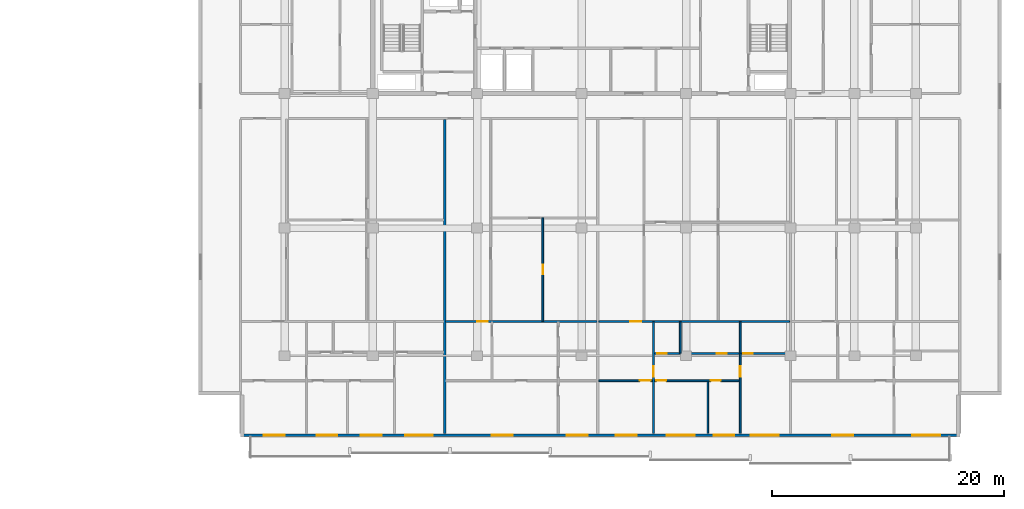
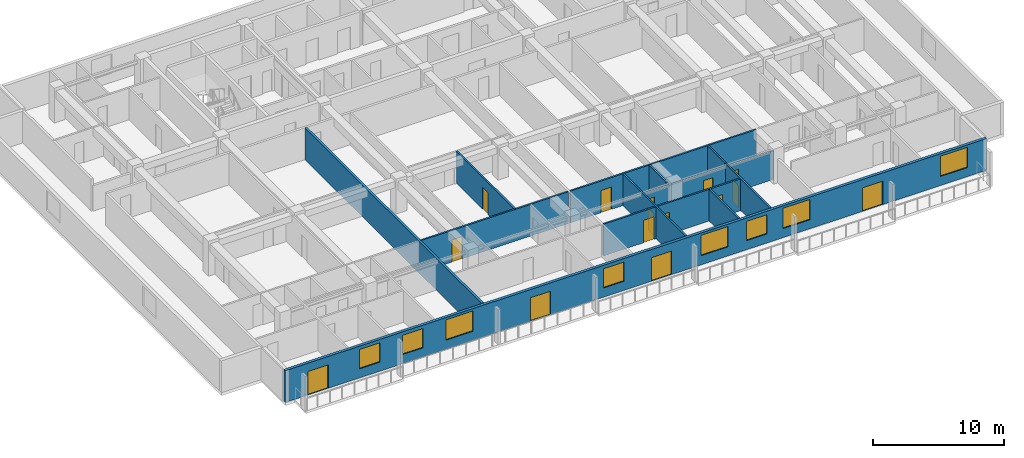
# One storey, part 5 of 23: 15 doors, 12 walls, 8 windows, 23 openings.
"""IFC4 building model written with IfcOpenShell, lengths in metres."""

from ifc_helpers import new_model, si_unit, direction, frame, frame_2d, origin, place, context, subcontext, project, spatial, rectangle, extrude, material, layer, layer_set, type_object, element, fill, save


model = new_model("IFC4")

# Units and contexts
model_context = context("Model", 3, precision=1e-05, world=origin(), true_north=direction((0.0, 1.0)))
body_context = subcontext(model_context, "Body", "Model", "MODEL_VIEW")
ifc_project = project(units=[si_unit("LENGTHUNIT", "METRE"), si_unit("AREAUNIT", "SQUARE_METRE"), si_unit("VOLUMEUNIT", "CUBIC_METRE"), si_unit("PLANEANGLEUNIT", "RADIAN"), si_unit("MASSUNIT", "GRAM", prefix="KILO")], contexts=[model_context])

# Site, building, storey
site_placement = place(None, origin())
site = spatial("IfcSite", under=ifc_project, at=site_placement, CompositionType="ELEMENT")
building_placement = place(site_placement, origin())
building = spatial("IfcBuilding", under=site, at=building_placement, Name="Korimba Cascade Residences", CompositionType="ELEMENT")
storey_placement = place(building_placement, frame((0.0, 0.0, 72.75)))
storey = spatial("IfcBuildingStorey", under=building, at=storey_placement, Name="L20", CompositionType="ELEMENT", Elevation=72.75)

# Wall, openings, doors, windows
ifc_material_1 = material(Name="Precast concrete C40/50", Category="concrete")
ifc_layer_1 = layer(ifc_material_1, 0.25)
ifc_layer_set_1 = layer_set([ifc_layer_1], Name="Precast concrete C40/50")
wall_type_1 = type_object("IfcWallType", Name="EW-LOG-250", PredefinedType="STANDARD", material=ifc_layer_set_1)
wall_1_placement = place(storey_placement, frame((70.699951171875, -11.050048828125, 0.0), z_axis=(0.0, 0.0, 1.0), x_axis=(1.0, 0.0, 0.0)))
wall_1 = element("IfcWall", 1, at=wall_1_placement, inside=storey, type_object=wall_type_1, Name="L20 T2 Perimeter Stone Wall E00", PredefinedType="STANDARD", context=body_context, shape_type="SweptSolid", body=[
    extrude(rectangle(XDim=62.0, YDim=0.25, at=frame_2d((31.0, 0.0))), origin(), (0.0, 0.0, 1.0), 2.969970703125),
])
opening_1_placement = place(wall_1_placement, frame((6.554931640625, 0.0, 0.85009765625)))
opening_1 = element("IfcOpeningElement", 2, at=opening_1_placement, cuts=wall_1, Name="Opening W-02", PredefinedType="OPENING", context=body_context, shape_type="SweptSolid", body=[
    extrude(rectangle(XDim=1.800048828125, YDim=1.800048828125, at=frame_2d((0.89990234375, 0.89990234375))), frame((0.0, 0.135009765625, 0.0), z_axis=(0.0, -1.0, 0.0), x_axis=(1.0, 0.0, 0.0)), (0.0, 0.0, 1.0), 0.27001953125),
])
opening_2_placement = place(wall_1_placement, frame((10.35498046875, 0.0, 0.85009765625)))
opening_2 = element("IfcOpeningElement", 3, at=opening_2_placement, cuts=wall_1, Name="Opening W-02", PredefinedType="OPENING", context=body_context, shape_type="SweptSolid", body=[
    extrude(rectangle(XDim=1.800048828125, YDim=1.800048828125, at=frame_2d((0.89990234375, 0.89990234375))), frame((0.0, 0.135009765625, 0.0), z_axis=(0.0, -1.0, 0.0), x_axis=(1.0, 0.0, 0.0)), (0.0, 0.0, 1.0), 0.27001953125),
])
opening_3_placement = place(wall_1_placement, frame((2.0, 0.0, 0.0)))
opening_3 = element("IfcOpeningElement", 4, at=opening_3_placement, cuts=wall_1, Name="Opening D-LG1", PredefinedType="OPENING", context=body_context, shape_type="SweptSolid", body=[
    extrude(rectangle(XDim=1.800048828125, YDim=2.199951171875, at=frame_2d((0.89990234375, 1.10009765625))), frame((0.0, 0.135009765625, 0.0), z_axis=(0.0, -1.0, 0.0), x_axis=(1.0, 0.0, 0.0)), (0.0, 0.0, 1.0), 0.27001953125),
])
opening_4_placement = place(wall_1_placement, frame((14.179931640625, 0.0, 0.85009765625)))
opening_4 = element("IfcOpeningElement", 5, at=opening_4_placement, cuts=wall_1, Name="Opening W-01", PredefinedType="OPENING", context=body_context, shape_type="SweptSolid", body=[
    extrude(rectangle(XDim=2.39990234375, YDim=1.89990234375, at=frame_2d((1.199951171875, 0.949951171875))), frame((0.0, 0.135009765625, 0.0), z_axis=(0.0, -1.0, 0.0), x_axis=(1.0, 0.0, 0.0)), (0.0, 0.0, 1.0), 0.27001953125),
])
opening_5_placement = place(wall_1_placement, frame((21.64990234375, 0.0, 0.0)))
opening_5 = element("IfcOpeningElement", 6, at=opening_5_placement, cuts=wall_1, Name="Opening D-LG1", PredefinedType="OPENING", context=body_context, shape_type="SweptSolid", body=[
    extrude(rectangle(XDim=1.800048828125, YDim=2.199951171875, at=frame_2d((0.89990234375, 1.10009765625))), frame((0.0, 0.135009765625, 0.0), z_axis=(0.0, -1.0, 0.0), x_axis=(1.0, 0.0, 0.0)), (0.0, 0.0, 1.0), 0.27001953125),
])
opening_6_placement = place(wall_1_placement, frame((28.1298828125, 0.0, 0.85009765625)))
opening_6 = element("IfcOpeningElement", 7, at=opening_6_placement, cuts=wall_1, Name="Opening W-02", PredefinedType="OPENING", context=body_context, shape_type="SweptSolid", body=[
    extrude(rectangle(XDim=1.800048828125, YDim=1.800048828125, at=frame_2d((0.89990234375, 0.89990234375))), frame((0.0, 0.135009765625, 0.0), z_axis=(0.0, -1.0, 0.0), x_axis=(1.0, 0.0, 0.0)), (0.0, 0.0, 1.0), 0.27001953125),
])
opening_7_placement = place(wall_1_placement, frame((36.735107421875, 0.0, 0.85009765625)))
opening_7 = element("IfcOpeningElement", 8, at=opening_7_placement, cuts=wall_1, Name="Opening W-01", PredefinedType="OPENING", context=body_context, shape_type="SweptSolid", body=[
    extrude(rectangle(XDim=2.39990234375, YDim=1.89990234375, at=frame_2d((1.199951171875, 0.949951171875))), frame((0.0, 0.135009765625, 0.0), z_axis=(0.0, -1.0, 0.0), x_axis=(1.0, 0.0, 0.0)), (0.0, 0.0, 1.0), 0.27001953125),
])
opening_8_placement = place(wall_1_placement, frame((40.77490234375, 0.0, 0.85009765625)))
opening_8 = element("IfcOpeningElement", 9, at=opening_8_placement, cuts=wall_1, Name="Opening W-02", PredefinedType="OPENING", context=body_context, shape_type="SweptSolid", body=[
    extrude(rectangle(XDim=1.800048828125, YDim=1.800048828125, at=frame_2d((0.89990234375, 0.89990234375))), frame((0.0, 0.135009765625, 0.0), z_axis=(0.0, -1.0, 0.0), x_axis=(1.0, 0.0, 0.0)), (0.0, 0.0, 1.0), 0.27001953125),
])
opening_9_placement = place(wall_1_placement, frame((32.35498046875, 0.0, 0.0)))
opening_9 = element("IfcOpeningElement", 10, at=opening_9_placement, cuts=wall_1, Name="Opening D-LG1", PredefinedType="OPENING", context=body_context, shape_type="SweptSolid", body=[
    extrude(rectangle(XDim=1.800048828125, YDim=2.199951171875, at=frame_2d((0.89990234375, 1.10009765625))), frame((0.0, 0.135009765625, 0.0), z_axis=(0.0, -1.0, 0.0), x_axis=(1.0, 0.0, 0.0)), (0.0, 0.0, 1.0), 0.27001953125),
])
opening_10_placement = place(wall_1_placement, frame((43.97509765625, 0.0, 0.85009765625)))
opening_10 = element("IfcOpeningElement", 11, at=opening_10_placement, cuts=wall_1, Name="Opening W-01", PredefinedType="OPENING", context=body_context, shape_type="SweptSolid", body=[
    extrude(rectangle(XDim=2.39990234375, YDim=1.89990234375, at=frame_2d((1.199951171875, 0.949951171875))), frame((0.0, 0.135009765625, 0.0), z_axis=(0.0, -1.0, 0.0), x_axis=(1.0, 0.0, 0.0)), (0.0, 0.0, 1.0), 0.27001953125),
])
opening_11_placement = place(wall_1_placement, frame((51.02001953125, 0.0, 0.0)))
opening_11 = element("IfcOpeningElement", 12, at=opening_11_placement, cuts=wall_1, Name="Opening D-LG1", PredefinedType="OPENING", context=body_context, shape_type="SweptSolid", body=[
    extrude(rectangle(XDim=1.800048828125, YDim=2.199951171875, at=frame_2d((0.89990234375, 1.10009765625))), frame((0.0, 0.135009765625, 0.0), z_axis=(0.0, -1.0, 0.0), x_axis=(1.0, 0.0, 0.0)), (0.0, 0.0, 1.0), 0.27001953125),
])
opening_12_placement = place(wall_1_placement, frame((57.89990234375, 0.0, 0.85009765625)))
opening_12 = element("IfcOpeningElement", 13, at=opening_12_placement, cuts=wall_1, Name="Opening W-01", PredefinedType="OPENING", context=body_context, shape_type="SweptSolid", body=[
    extrude(rectangle(XDim=2.39990234375, YDim=1.89990234375, at=frame_2d((1.199951171875, 0.949951171875))), frame((0.0, 0.135009765625, 0.0), z_axis=(0.0, -1.0, 0.0), x_axis=(1.0, 0.0, 0.0)), (0.0, 0.0, 1.0), 0.27001953125),
])
ifc_material_2 = material(Name="Glazed Aluminium Loggia Sliding Door", Category="aluminium")
door_type_1 = type_object("IfcDoorType", Name="DR-EXT-LOG", OperationType="NOTDEFINED", PredefinedType="DOOR", material=ifc_material_2)
door_1_placement = place(opening_3_placement, origin())
door_1 = element("IfcDoor", 14, at=door_1_placement, inside=storey, type_object=door_type_1, Name="L20 T2 Loggia Sliding Door 5", OperationType="SLIDING_TO_RIGHT", OverallHeight=2.199951171875, OverallWidth=1.800048828125, PredefinedType="DOOR", context=body_context, shape_type="SweptSolid", body=[
    extrude(rectangle(XDim=1.800048828125, YDim=2.199951171875, at=frame_2d((0.89990234375, 1.10009765625))), frame((0.0, 0.02490234375, 0.0), z_axis=(0.0, -1.0, 0.0), x_axis=(1.0, 0.0, 0.0)), (0.0, 0.0, 1.0), 0.050048828125),
])
fill(opening_3, door_1)
door_2_placement = place(opening_5_placement, origin())
door_2 = element("IfcDoor", 15, at=door_2_placement, inside=storey, type_object=door_type_1, Name="L20 T2 Loggia Sliding Door 7", OperationType="SLIDING_TO_RIGHT", OverallHeight=2.199951171875, OverallWidth=1.800048828125, PredefinedType="DOOR", context=body_context, shape_type="SweptSolid", body=[
    extrude(rectangle(XDim=1.800048828125, YDim=2.199951171875, at=frame_2d((0.89990234375, 1.10009765625))), frame((0.0, 0.02490234375, 0.0), z_axis=(0.0, -1.0, 0.0), x_axis=(1.0, 0.0, 0.0)), (0.0, 0.0, 1.0), 0.050048828125),
])
fill(opening_5, door_2)
door_3_placement = place(opening_9_placement, origin())
door_3 = element("IfcDoor", 16, at=door_3_placement, inside=storey, type_object=door_type_1, Name="L20 T2 Loggia Sliding Door 11", OperationType="SLIDING_TO_RIGHT", OverallHeight=2.199951171875, OverallWidth=1.800048828125, PredefinedType="DOOR", context=body_context, shape_type="SweptSolid", body=[
    extrude(rectangle(XDim=1.800048828125, YDim=2.199951171875, at=frame_2d((0.89990234375, 1.10009765625))), frame((0.0, 0.02490234375, 0.0), z_axis=(0.0, -1.0, 0.0), x_axis=(1.0, 0.0, 0.0)), (0.0, 0.0, 1.0), 0.050048828125),
])
fill(opening_9, door_3)
door_4_placement = place(opening_11_placement, origin())
door_4 = element("IfcDoor", 17, at=door_4_placement, inside=storey, type_object=door_type_1, Name="L20 T2 Loggia Sliding Door 13", OperationType="SLIDING_TO_RIGHT", OverallHeight=2.199951171875, OverallWidth=1.800048828125, PredefinedType="DOOR", context=body_context, shape_type="SweptSolid", body=[
    extrude(rectangle(XDim=1.800048828125, YDim=2.199951171875, at=frame_2d((0.89990234375, 1.10009765625))), frame((0.0, 0.02490234375, 0.0), z_axis=(0.0, -1.0, 0.0), x_axis=(1.0, 0.0, 0.0)), (0.0, 0.0, 1.0), 0.050048828125),
])
fill(opening_11, door_4)
ifc_material_3 = material(Name="Double-Glazed Aluminium Window", Category="aluminium")
window_type_1 = type_object("IfcWindowType", Name="WIN-BED-1800", PartitioningType="SINGLE_PANEL", PredefinedType="WINDOW", material=ifc_material_3)
window_1_placement = place(opening_1_placement, origin())
window_1 = element("IfcWindow", 18, at=window_1_placement, inside=storey, type_object=window_type_1, Name="L20 T2 South Facade Window 3", OverallHeight=1.800048828125, OverallWidth=1.800048828125, PartitioningType="SINGLE_PANEL", PredefinedType="WINDOW", context=body_context, shape_type="SweptSolid", body=[
    extrude(rectangle(XDim=1.800048828125, YDim=1.800048828125, at=frame_2d((0.89990234375, 0.89990234375))), frame((0.0, 0.030029296875, 0.0), z_axis=(0.0, -1.0, 0.0), x_axis=(1.0, 0.0, 0.0)), (0.0, 0.0, 1.0), 0.06005859375),
])
fill(opening_1, window_1)
window_2_placement = place(opening_2_placement, origin())
window_2 = element("IfcWindow", 19, at=window_2_placement, inside=storey, type_object=window_type_1, Name="L20 T2 South Facade Window 4", OverallHeight=1.800048828125, OverallWidth=1.800048828125, PartitioningType="SINGLE_PANEL", PredefinedType="WINDOW", context=body_context, shape_type="SweptSolid", body=[
    extrude(rectangle(XDim=1.800048828125, YDim=1.800048828125, at=frame_2d((0.89990234375, 0.89990234375))), frame((0.0, 0.030029296875, 0.0), z_axis=(0.0, -1.0, 0.0), x_axis=(1.0, 0.0, 0.0)), (0.0, 0.0, 1.0), 0.06005859375),
])
fill(opening_2, window_2)
window_3_placement = place(opening_6_placement, origin())
window_3 = element("IfcWindow", 20, at=window_3_placement, inside=storey, type_object=window_type_1, Name="L20 T2 South Facade Window 8", OverallHeight=1.800048828125, OverallWidth=1.800048828125, PartitioningType="SINGLE_PANEL", PredefinedType="WINDOW", context=body_context, shape_type="SweptSolid", body=[
    extrude(rectangle(XDim=1.800048828125, YDim=1.800048828125, at=frame_2d((0.89990234375, 0.89990234375))), frame((0.0, 0.030029296875, 0.0), z_axis=(0.0, -1.0, 0.0), x_axis=(1.0, 0.0, 0.0)), (0.0, 0.0, 1.0), 0.06005859375),
])
fill(opening_6, window_3)
window_4_placement = place(opening_8_placement, origin())
window_4 = element("IfcWindow", 21, at=window_4_placement, inside=storey, type_object=window_type_1, Name="L20 T2 South Facade Window 10", OverallHeight=1.800048828125, OverallWidth=1.800048828125, PartitioningType="SINGLE_PANEL", PredefinedType="WINDOW", context=body_context, shape_type="SweptSolid", body=[
    extrude(rectangle(XDim=1.800048828125, YDim=1.800048828125, at=frame_2d((0.89990234375, 0.89990234375))), frame((0.0, 0.030029296875, 0.0), z_axis=(0.0, -1.0, 0.0), x_axis=(1.0, 0.0, 0.0)), (0.0, 0.0, 1.0), 0.06005859375),
])
fill(opening_8, window_4)
window_type_2 = type_object("IfcWindowType", Name="WIN-RES-2400", PartitioningType="DOUBLE_PANEL_VERTICAL", PredefinedType="WINDOW", material=ifc_material_3)
window_5_placement = place(opening_4_placement, origin())
window_5 = element("IfcWindow", 22, at=window_5_placement, inside=storey, type_object=window_type_2, Name="L20 T2 South Facade Window 6", OverallHeight=1.89990234375, OverallWidth=2.39990234375, PartitioningType="DOUBLE_PANEL_VERTICAL", PredefinedType="WINDOW", context=body_context, shape_type="SweptSolid", body=[
    extrude(rectangle(XDim=2.39990234375, YDim=1.89990234375, at=frame_2d((1.199951171875, 0.949951171875))), frame((0.0, 0.030029296875, 0.0), z_axis=(0.0, -1.0, 0.0), x_axis=(1.0, 0.0, 0.0)), (0.0, 0.0, 1.0), 0.06005859375),
])
fill(opening_4, window_5)
window_6_placement = place(opening_7_placement, origin())
window_6 = element("IfcWindow", 23, at=window_6_placement, inside=storey, type_object=window_type_2, Name="L20 T2 South Facade Window 9", OverallHeight=1.89990234375, OverallWidth=2.39990234375, PartitioningType="DOUBLE_PANEL_VERTICAL", PredefinedType="WINDOW", context=body_context, shape_type="SweptSolid", body=[
    extrude(rectangle(XDim=2.39990234375, YDim=1.89990234375, at=frame_2d((1.199951171875, 0.949951171875))), frame((0.0, 0.030029296875, 0.0), z_axis=(0.0, -1.0, 0.0), x_axis=(1.0, 0.0, 0.0)), (0.0, 0.0, 1.0), 0.06005859375),
])
fill(opening_7, window_6)
window_7_placement = place(opening_10_placement, origin())
window_7 = element("IfcWindow", 24, at=window_7_placement, inside=storey, type_object=window_type_2, Name="L20 T2 South Facade Window 12", OverallHeight=1.89990234375, OverallWidth=2.39990234375, PartitioningType="DOUBLE_PANEL_VERTICAL", PredefinedType="WINDOW", context=body_context, shape_type="SweptSolid", body=[
    extrude(rectangle(XDim=2.39990234375, YDim=1.89990234375, at=frame_2d((1.199951171875, 0.949951171875))), frame((0.0, 0.030029296875, 0.0), z_axis=(0.0, -1.0, 0.0), x_axis=(1.0, 0.0, 0.0)), (0.0, 0.0, 1.0), 0.06005859375),
])
fill(opening_10, window_7)
window_8_placement = place(opening_12_placement, origin())
window_8 = element("IfcWindow", 25, at=window_8_placement, inside=storey, type_object=window_type_2, Name="L20 T2 South Facade Window 14", OverallHeight=1.89990234375, OverallWidth=2.39990234375, PartitioningType="DOUBLE_PANEL_VERTICAL", PredefinedType="WINDOW", context=body_context, shape_type="SweptSolid", body=[
    extrude(rectangle(XDim=2.39990234375, YDim=1.89990234375, at=frame_2d((1.199951171875, 0.949951171875))), frame((0.0, 0.030029296875, 0.0), z_axis=(0.0, -1.0, 0.0), x_axis=(1.0, 0.0, 0.0)), (0.0, 0.0, 1.0), 0.06005859375),
])
fill(opening_12, window_8)

# Wall
ifc_layer_2 = layer(ifc_material_1, 0.199951171875)
ifc_layer_set_2 = layer_set([ifc_layer_2], Name="Precast concrete C40/50")
wall_type_2 = type_object("IfcWallType", Name="WAL-IT-200", PredefinedType="PARTITIONING", material=ifc_layer_set_2)
wall_2_placement = place(storey_placement, frame((88.300048828125, -10.89990234375, 0.0), z_axis=(0.0, 0.0, 1.0), x_axis=(0.0, 1.0, 0.0)))
element("IfcWall", 26, at=wall_2_placement, inside=storey, type_object=wall_type_2, Name="L20 Partition Wall WAL-L20-T2-DEM-1", PredefinedType="PARTITIONING", context=body_context, shape_type="SweptSolid", body=[
    extrude(rectangle(XDim=27.06982421875, YDim=0.199951171875, at=frame_2d((13.534912109375, 0.0))), origin(), (0.0, 0.0, 1.0), 2.969970703125),
])

# Wall, opening, door
ifc_material_4 = material(Name="Insulated Acoustic Stud Partition", Category="gypsum")
ifc_layer_3 = layer(ifc_material_4, 0.14990234375)
ifc_layer_set_3 = layer_set([ifc_layer_3], Name="Insulated Acoustic Stud Partition")
wall_type_3 = type_object("IfcWallType", Name="WAL-PART-150", PredefinedType="PARTITIONING", material=ifc_layer_set_3)
wall_3_placement = place(storey_placement, frame((96.7548828125, -1.2099609375, 0.0), z_axis=(0.0, 0.0, 1.0), x_axis=(0.0, 1.0, 0.0)))
wall_3 = element("IfcWall", 27, at=wall_3_placement, inside=storey, type_object=wall_type_3, Name="L20 Partition Wall WAL-L20-T2-U02-FMV", PredefinedType="PARTITIONING", context=body_context, shape_type="SweptSolid", body=[
    extrude(rectangle(XDim=8.8798828125, YDim=0.14990234375, at=frame_2d((4.43994140625, 0.0))), origin(), (0.0, 0.0, 1.0), 2.969970703125),
])
opening_13_placement = place(wall_3_placement, frame((4.02001953125, 0.0, 0.0)))
opening_13 = element("IfcOpeningElement", 28, at=opening_13_placement, cuts=wall_3, Name="Opening D-BT1", PredefinedType="OPENING", context=body_context, shape_type="SweptSolid", body=[
    extrude(rectangle(XDim=0.840087890625, YDim=2.0400390625, at=frame_2d((0.419921875, 1.02001953125))), frame((0.0, 0.0849609375, 0.0), z_axis=(0.0, -1.0, 0.0), x_axis=(1.0, 0.0, 0.0)), (0.0, 0.0, 1.0), 0.169921875),
])
ifc_material_5 = material(Name="Moisture-Resistant Bathroom Timber Door", Category="wood")
door_type_2 = type_object("IfcDoorType", Name="DR-INT-850", OperationType="NOTDEFINED", PredefinedType="DOOR", material=ifc_material_5)
door_5_placement = place(opening_13_placement, origin())
door_5 = element("IfcDoor", 29, at=door_5_placement, inside=storey, type_object=door_type_2, Name="L20-T2-U02 Wardrobe Door", OperationType="SINGLE_SWING_RIGHT", OverallHeight=2.0400390625, OverallWidth=0.840087890625, PredefinedType="DOOR", context=body_context, shape_type="SweptSolid", body=[
    extrude(rectangle(XDim=0.840087890625, YDim=2.0400390625, at=frame_2d((0.419921875, 1.02001953125))), frame((0.0, 0.02490234375, 0.0), z_axis=(0.0, -1.0, 0.0), x_axis=(1.0, 0.0, 0.0)), (0.0, 0.0, 1.0), 0.050048828125),
])
fill(opening_13, door_5)

wall_4_placement = place(storey_placement, frame((88.3798828125, -1.25, 0.0), z_axis=(0.0, 0.0, 1.0), x_axis=(1.0, 0.0, 0.0)))
wall_4 = element("IfcWall", 30, at=wall_4_placement, inside=storey, type_object=wall_type_3, Name="L20 Partition Wall WAL-L20-T2-U02-MW", PredefinedType="PARTITIONING", context=body_context, shape_type="SweptSolid", body=[
    extrude(rectangle(XDim=13.0400390625, YDim=0.14990234375, at=frame_2d((6.52001953125, 0.0))), origin(), (0.0, 0.0, 1.0), 2.969970703125),
])
opening_14_placement = place(wall_4_placement, frame((2.719970703125, 0.0, 0.0)))
opening_14 = element("IfcOpeningElement", 31, at=opening_14_placement, cuts=wall_4, Name="Opening D-IN1", PredefinedType="OPENING", context=body_context, shape_type="SweptSolid", body=[
    extrude(rectangle(XDim=0.919921875, YDim=2.080078125, at=frame_2d((0.4599609375, 1.0400390625))), frame((0.0, 0.0849609375, 0.0), z_axis=(0.0, -1.0, 0.0), x_axis=(1.0, 0.0, 0.0)), (0.0, 0.0, 1.0), 0.169921875),
])
ifc_material_6 = material(Name="Acoustic Timber Living Door", Category="wood")
door_type_3 = type_object("IfcDoorType", Name="DR-INT-920", OperationType="NOTDEFINED", PredefinedType="DOOR", material=ifc_material_6)
door_6_placement = place(opening_14_placement, origin())
door_6 = element("IfcDoor", 32, at=door_6_placement, inside=storey, type_object=door_type_3, Name="L20-T2-U02 Kitchen Archway Door", OperationType="SINGLE_SWING_LEFT", OverallHeight=2.080078125, OverallWidth=0.919921875, PredefinedType="DOOR", context=body_context, shape_type="SweptSolid", body=[
    extrude(rectangle(XDim=0.919921875, YDim=2.080078125, at=frame_2d((0.4599609375, 1.0400390625))), frame((0.0, 0.02490234375, 0.0), z_axis=(0.0, -1.0, 0.0), x_axis=(1.0, 0.0, 0.0)), (0.0, 0.0, 1.0), 0.050048828125),
])
fill(opening_14, door_6)

# Walls
wall_5_placement = place(storey_placement, frame((108.60009765625, -3.97998046875, 0.0), z_axis=(0.0, 0.0, 1.0), x_axis=(0.0, 1.0, 0.0)))
element("IfcWall", 33, at=wall_5_placement, inside=storey, type_object=wall_type_3, Name="L20 Partition Wall WAL-L20-T2-U03-VDRS", PredefinedType="PARTITIONING", context=body_context, shape_type="SweptSolid", body=[
    extrude(rectangle(XDim=2.68994140625, YDim=0.14990234375, at=frame_2d((1.344970703125, 0.0))), origin(), (0.0, 0.0, 1.0), 2.969970703125),
])
wall_6_placement = place(storey_placement, frame((110.97998046875, -10.89990234375, 0.0), z_axis=(0.0, 0.0, 1.0), x_axis=(0.0, 1.0, 0.0)))
element("IfcWall", 34, at=wall_6_placement, inside=storey, type_object=wall_type_3, Name="L20 Partition Wall WAL-L20-T2-U03-VSTD", PredefinedType="PARTITIONING", context=body_context, shape_type="SweptSolid", body=[
    extrude(rectangle(XDim=4.469970703125, YDim=0.14990234375, at=frame_2d((2.23486328125, 0.0))), origin(), (0.0, 0.0, 1.0), 2.969970703125),
])

# Wall, opening, door
wall_7_placement = place(storey_placement, frame((106.2900390625, -10.89990234375, 0.0), z_axis=(0.0, 0.0, 1.0), x_axis=(0.0, 1.0, 0.0)))
wall_7 = element("IfcWall", 35, at=wall_7_placement, inside=storey, type_object=wall_type_3, Name="L20 Partition Wall WAL-L20-T2-U03-V1", PredefinedType="PARTITIONING", context=body_context, shape_type="SweptSolid", body=[
    extrude(rectangle(XDim=9.60986328125, YDim=0.14990234375, at=frame_2d((4.804931640625, 0.0))), origin(), (0.0, 0.0, 1.0), 2.969970703125),
])
opening_15_placement = place(wall_7_placement, frame((4.8701171875, 0.0, 0.0)))
opening_15 = element("IfcOpeningElement", 36, at=opening_15_placement, cuts=wall_7, Name="Opening D-IN1", PredefinedType="OPENING", context=body_context, shape_type="SweptSolid", body=[
    extrude(rectangle(XDim=0.919921875, YDim=2.080078125, at=frame_2d((0.4599609375, 1.0400390625))), frame((0.0, 0.0849609375, 0.0), z_axis=(0.0, -1.0, 0.0), x_axis=(1.0, 0.0, 0.0)), (0.0, 0.0, 1.0), 0.169921875),
])
door_7_placement = place(opening_15_placement, origin())
door_7 = element("IfcDoor", 37, at=door_7_placement, inside=storey, type_object=door_type_3, Name="L20-T2-U03 Hallway Door", OperationType="SINGLE_SWING_LEFT", OverallHeight=2.080078125, OverallWidth=0.919921875, PredefinedType="DOOR", context=body_context, shape_type="SweptSolid", body=[
    extrude(rectangle(XDim=0.919921875, YDim=2.080078125, at=frame_2d((0.4599609375, 1.0400390625))), frame((0.0, 0.02490234375, 0.0), z_axis=(0.0, -1.0, 0.0), x_axis=(1.0, 0.0, 0.0)), (0.0, 0.0, 1.0), 0.050048828125),
])
fill(opening_15, door_7)

# Wall
wall_8_placement = place(storey_placement, frame((113.77001953125, -3.97998046875, 0.0), z_axis=(0.0, 0.0, 1.0), x_axis=(0.0, 1.0, 0.0)))
element("IfcWall", 38, at=wall_8_placement, inside=storey, type_object=wall_type_3, Name="L20 Partition Wall WAL-L20-T2-U03-VBATH", PredefinedType="PARTITIONING", context=body_context, shape_type="SweptSolid", body=[
    extrude(rectangle(XDim=2.68994140625, YDim=0.14990234375, at=frame_2d((1.344970703125, 0.0))), origin(), (0.0, 0.0, 1.0), 2.969970703125),
])

# Wall, opening, door
wall_9_placement = place(storey_placement, frame((113.77001953125, -10.89990234375, 0.0), z_axis=(0.0, 0.0, 1.0), x_axis=(0.0, 1.0, 0.0)))
wall_9 = element("IfcWall", 39, at=wall_9_placement, inside=storey, type_object=wall_type_3, Name="L20 Partition Wall WAL-L20-T2-U03-V2FULL", PredefinedType="PARTITIONING", context=body_context, shape_type="SweptSolid", body=[
    extrude(rectangle(XDim=6.8798828125, YDim=0.14990234375, at=frame_2d((3.43994140625, 0.0))), origin(), (0.0, 0.0, 1.0), 2.969970703125),
])
opening_16_placement = place(wall_9_placement, frame((4.8701171875, 0.0, 0.0)))
opening_16 = element("IfcOpeningElement", 40, at=opening_16_placement, cuts=wall_9, Name="Opening D-IN1", PredefinedType="OPENING", context=body_context, shape_type="SweptSolid", body=[
    extrude(rectangle(XDim=0.919921875, YDim=2.080078125, at=frame_2d((0.4599609375, 1.0400390625))), frame((0.0, 0.0849609375, 0.0), z_axis=(0.0, -1.0, 0.0), x_axis=(1.0, 0.0, 0.0)), (0.0, 0.0, 1.0), 0.169921875),
])
door_8_placement = place(opening_16_placement, origin())
door_8 = element("IfcDoor", 41, at=door_8_placement, inside=storey, type_object=door_type_3, Name="L20-T2-U03 Master Bedroom Door", OperationType="SINGLE_SWING_RIGHT", OverallHeight=2.080078125, OverallWidth=0.919921875, PredefinedType="DOOR", context=body_context, shape_type="SweptSolid", body=[
    extrude(rectangle(XDim=0.919921875, YDim=2.080078125, at=frame_2d((0.4599609375, 1.0400390625))), frame((0.0, 0.02490234375, 0.0), z_axis=(0.0, -1.0, 0.0), x_axis=(1.0, 0.0, 0.0)), (0.0, 0.0, 1.0), 0.050048828125),
])
fill(opening_16, door_8)

# Wall, openings, doors
wall_10_placement = place(storey_placement, frame((106.330078125, -4.0, 0.0), z_axis=(0.0, 0.0, 1.0), x_axis=(1.0, 0.0, 0.0)))
wall_10 = element("IfcWall", 42, at=wall_10_placement, inside=storey, type_object=wall_type_3, Name="L20 Partition Wall WAL-L20-T2-U03-HWALL", PredefinedType="PARTITIONING", context=body_context, shape_type="SweptSolid", body=[
    extrude(rectangle(XDim=11.68994140625, YDim=0.14990234375, at=frame_2d((5.844970703125, 0.0))), origin(), (0.0, 0.0, 1.0), 2.663330078125),
])
opening_17_placement = place(wall_10_placement, frame((0.269287109375, 0.0, 0.0)))
opening_17 = element("IfcOpeningElement", 43, at=opening_17_placement, cuts=wall_10, Name="Opening D-BT1", PredefinedType="OPENING", context=body_context, shape_type="SweptSolid", body=[
    extrude(rectangle(XDim=0.840087890625, YDim=2.0400390625, at=frame_2d((0.419921875, 1.02001953125))), frame((0.0, 0.0849609375, 0.0), z_axis=(0.0, -1.0, 0.0), x_axis=(1.0, 0.0, 0.0)), (0.0, 0.0, 1.0), 0.169921875),
])
opening_18_placement = place(wall_10_placement, frame((5.425048828125, 0.0, 0.0)))
opening_18 = element("IfcOpeningElement", 44, at=opening_18_placement, cuts=wall_10, Name="Opening D-BT1", PredefinedType="OPENING", context=body_context, shape_type="SweptSolid", body=[
    extrude(rectangle(XDim=0.840087890625, YDim=2.0400390625, at=frame_2d((0.419921875, 1.02001953125))), frame((0.0, 0.0849609375, 0.0), z_axis=(0.0, -1.0, 0.0), x_axis=(1.0, 0.0, 0.0)), (0.0, 0.0, 1.0), 0.169921875),
])
opening_19_placement = place(wall_10_placement, frame((7.68994140625, 0.0, 0.0)))
opening_19 = element("IfcOpeningElement", 45, at=opening_19_placement, cuts=wall_10, Name="Opening D-BT1", PredefinedType="OPENING", context=body_context, shape_type="SweptSolid", body=[
    extrude(rectangle(XDim=0.840087890625, YDim=2.0400390625, at=frame_2d((0.419921875, 1.02001953125))), frame((0.0, 0.0849609375, 0.0), z_axis=(0.0, -1.0, 0.0), x_axis=(1.0, 0.0, 0.0)), (0.0, 0.0, 1.0), 0.169921875),
])
door_9_placement = place(opening_17_placement, origin())
door_9 = element("IfcDoor", 46, at=door_9_placement, inside=storey, type_object=door_type_2, Name="L20-T2-U03 Family Bathroom Door", OperationType="SINGLE_SWING_LEFT", OverallHeight=2.0400390625, OverallWidth=0.840087890625, PredefinedType="DOOR", context=body_context, shape_type="SweptSolid", body=[
    extrude(rectangle(XDim=0.840087890625, YDim=2.0400390625, at=frame_2d((0.419921875, 1.02001953125))), frame((0.0, 0.02490234375, 0.0), z_axis=(0.0, -1.0, 0.0), x_axis=(1.0, 0.0, 0.0)), (0.0, 0.0, 1.0), 0.050048828125),
])
fill(opening_17, door_9)
door_10_placement = place(opening_18_placement, origin())
door_10 = element("IfcDoor", 47, at=door_10_placement, inside=storey, type_object=door_type_2, Name="L20-T2-U03 Dressing Room Door", OperationType="SINGLE_SWING_RIGHT", OverallHeight=2.0400390625, OverallWidth=0.840087890625, PredefinedType="DOOR", context=body_context, shape_type="SweptSolid", body=[
    extrude(rectangle(XDim=0.840087890625, YDim=2.0400390625, at=frame_2d((0.419921875, 1.02001953125))), frame((0.0, 0.02490234375, 0.0), z_axis=(0.0, -1.0, 0.0), x_axis=(1.0, 0.0, 0.0)), (0.0, 0.0, 1.0), 0.050048828125),
])
fill(opening_18, door_10)
door_11_placement = place(opening_19_placement, origin())
door_11 = element("IfcDoor", 48, at=door_11_placement, inside=storey, type_object=door_type_2, Name="L20-T2-U03 En-Suite Door", OperationType="SINGLE_SWING_LEFT", OverallHeight=2.0400390625, OverallWidth=0.840087890625, PredefinedType="DOOR", context=body_context, shape_type="SweptSolid", body=[
    extrude(rectangle(XDim=0.840087890625, YDim=2.0400390625, at=frame_2d((0.419921875, 1.02001953125))), frame((0.0, 0.02490234375, 0.0), z_axis=(0.0, -1.0, 0.0), x_axis=(1.0, 0.0, 0.0)), (0.0, 0.0, 1.0), 0.050048828125),
])
fill(opening_19, door_11)

# Wall, opening, door
wall_11_placement = place(storey_placement, frame((101.580078125, -1.25, 0.0), z_axis=(0.0, 0.0, 1.0), x_axis=(1.0, 0.0, 0.0)))
wall_11 = element("IfcWall", 49, at=wall_11_placement, inside=storey, type_object=wall_type_3, Name="L20 Partition Wall WAL-L20-T2-U03-MW", PredefinedType="PARTITIONING", context=body_context, shape_type="SweptSolid", body=[
    extrude(rectangle(XDim=16.43994140625, YDim=0.14990234375, at=frame_2d((8.219970703125, 0.0))), origin(), (0.0, 0.0, 1.0), 2.969970703125),
])
opening_20_placement = place(wall_11_placement, frame((2.719970703125, 0.0, 0.0)))
opening_20 = element("IfcOpeningElement", 50, at=opening_20_placement, cuts=wall_11, Name="Opening D-IN1", PredefinedType="OPENING", context=body_context, shape_type="SweptSolid", body=[
    extrude(rectangle(XDim=0.919921875, YDim=2.080078125, at=frame_2d((0.4599609375, 1.0400390625))), frame((0.0, 0.0849609375, 0.0), z_axis=(0.0, -1.0, 0.0), x_axis=(1.0, 0.0, 0.0)), (0.0, 0.0, 1.0), 0.169921875),
])
door_12_placement = place(opening_20_placement, origin())
door_12 = element("IfcDoor", 51, at=door_12_placement, inside=storey, type_object=door_type_3, Name="L20-T2-U03 Kitchen Door", OperationType="SINGLE_SWING_RIGHT", OverallHeight=2.080078125, OverallWidth=0.919921875, PredefinedType="DOOR", context=body_context, shape_type="SweptSolid", body=[
    extrude(rectangle(XDim=0.919921875, YDim=2.080078125, at=frame_2d((0.4599609375, 1.0400390625))), frame((0.0, 0.02490234375, 0.0), z_axis=(0.0, -1.0, 0.0), x_axis=(1.0, 0.0, 0.0)), (0.0, 0.0, 1.0), 0.050048828125),
])
fill(opening_20, door_12)

# Wall, openings, doors
wall_12_placement = place(storey_placement, frame((101.580078125, -6.35009765625, 0.0), z_axis=(0.0, 0.0, 1.0), x_axis=(1.0, 0.0, 0.0)))
wall_12 = element("IfcWall", 52, at=wall_12_placement, inside=storey, type_object=wall_type_3, Name="L20 Partition Wall WAL-L20-T2-U03-HZ", PredefinedType="PARTITIONING", context=body_context, shape_type="SweptSolid", body=[
    extrude(rectangle(XDim=12.18994140625, YDim=0.14990234375, at=frame_2d((6.094970703125, 0.0))), origin(), (0.0, 0.0, 1.0), 2.969970703125),
])
opening_21_placement = place(wall_12_placement, frame((3.52001953125, 0.0, 0.0)))
opening_21 = element("IfcOpeningElement", 53, at=opening_21_placement, cuts=wall_12, Name="Opening D-IN0", PredefinedType="OPENING", context=body_context, shape_type="SweptSolid", body=[
    extrude(rectangle(XDim=0.93994140625, YDim=2.10009765625, at=frame_2d((0.469970703125, 1.050048828125))), frame((0.0, 0.0849609375, 0.0), z_axis=(0.0, -1.0, 0.0), x_axis=(1.0, 0.0, 0.0)), (0.0, 0.0, 1.0), 0.169921875),
])
opening_22_placement = place(wall_12_placement, frame((4.929931640625, 0.0, 0.0)))
opening_22 = element("IfcOpeningElement", 54, at=opening_22_placement, cuts=wall_12, Name="Opening D-IN2", PredefinedType="OPENING", context=body_context, shape_type="SweptSolid", body=[
    extrude(rectangle(XDim=0.8798828125, YDim=2.06005859375, at=frame_2d((0.43994140625, 1.030029296875))), frame((0.0, 0.0849609375, 0.0), z_axis=(0.0, -1.0, 0.0), x_axis=(1.0, 0.0, 0.0)), (0.0, 0.0, 1.0), 0.169921875),
])
opening_23_placement = place(wall_12_placement, frame((9.6494140625, 0.0, 0.0)))
opening_23 = element("IfcOpeningElement", 55, at=opening_23_placement, cuts=wall_12, Name="Opening D-IN2", PredefinedType="OPENING", context=body_context, shape_type="SweptSolid", body=[
    extrude(rectangle(XDim=0.8798828125, YDim=2.06005859375, at=frame_2d((0.43994140625, 1.030029296875))), frame((0.0, 0.0849609375, 0.0), z_axis=(0.0, -1.0, 0.0), x_axis=(1.0, 0.0, 0.0)), (0.0, 0.0, 1.0), 0.169921875),
])
ifc_material_7 = material(Name="Acoustic Timber Bedroom Door", Category="wood")
door_type_4 = type_object("IfcDoorType", Name="DR-INT-880", OperationType="NOTDEFINED", PredefinedType="DOOR", material=ifc_material_7)
door_13_placement = place(opening_22_placement, origin())
door_13 = element("IfcDoor", 56, at=door_13_placement, inside=storey, type_object=door_type_4, Name="L20-T2-U03 Bedroom 2 Door", OperationType="SINGLE_SWING_RIGHT", OverallHeight=2.06005859375, OverallWidth=0.8798828125, PredefinedType="DOOR", context=body_context, shape_type="SweptSolid", body=[
    extrude(rectangle(XDim=0.8798828125, YDim=2.06005859375, at=frame_2d((0.43994140625, 1.030029296875))), frame((0.0, 0.02490234375, 0.0), z_axis=(0.0, -1.0, 0.0), x_axis=(1.0, 0.0, 0.0)), (0.0, 0.0, 1.0), 0.050048828125),
])
fill(opening_22, door_13)
door_14_placement = place(opening_23_placement, origin())
door_14 = element("IfcDoor", 57, at=door_14_placement, inside=storey, type_object=door_type_4, Name="L20-T2-U03 Study Door", OperationType="SINGLE_SWING_LEFT", OverallHeight=2.06005859375, OverallWidth=0.8798828125, PredefinedType="DOOR", context=body_context, shape_type="SweptSolid", body=[
    extrude(rectangle(XDim=0.8798828125, YDim=2.06005859375, at=frame_2d((0.43994140625, 1.030029296875))), frame((0.0, 0.02490234375, 0.0), z_axis=(0.0, -1.0, 0.0), x_axis=(1.0, 0.0, 0.0)), (0.0, 0.0, 1.0), 0.050048828125),
])
fill(opening_23, door_14)
ifc_material_8 = material(Name="Acoustic Timber Living Archway Door", Category="wood")
door_type_5 = type_object("IfcDoorType", Name="DR-INT-950", OperationType="NOTDEFINED", PredefinedType="DOOR", material=ifc_material_8)
door_15_placement = place(opening_21_placement, origin())
door_15 = element("IfcDoor", 58, at=door_15_placement, inside=storey, type_object=door_type_5, Name="L20-T2-U03 Living Room Door", OperationType="SINGLE_SWING_LEFT", OverallHeight=2.10009765625, OverallWidth=0.93994140625, PredefinedType="DOOR", context=body_context, shape_type="SweptSolid", body=[
    extrude(rectangle(XDim=0.93994140625, YDim=2.10009765625, at=frame_2d((0.469970703125, 1.050048828125))), frame((0.0, 0.02490234375, 0.0), z_axis=(0.0, -1.0, 0.0), x_axis=(1.0, 0.0, 0.0)), (0.0, 0.0, 1.0), 0.050048828125),
])
fill(opening_21, door_15)

save(model, "model.ifc")
